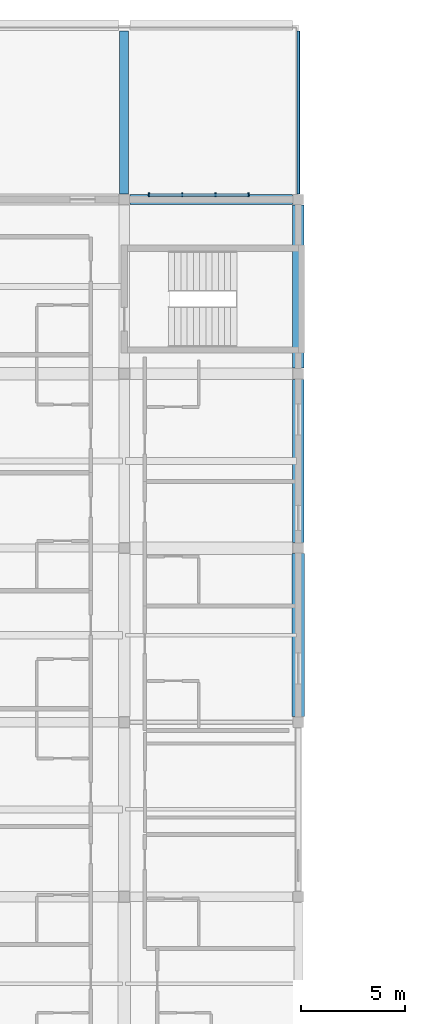
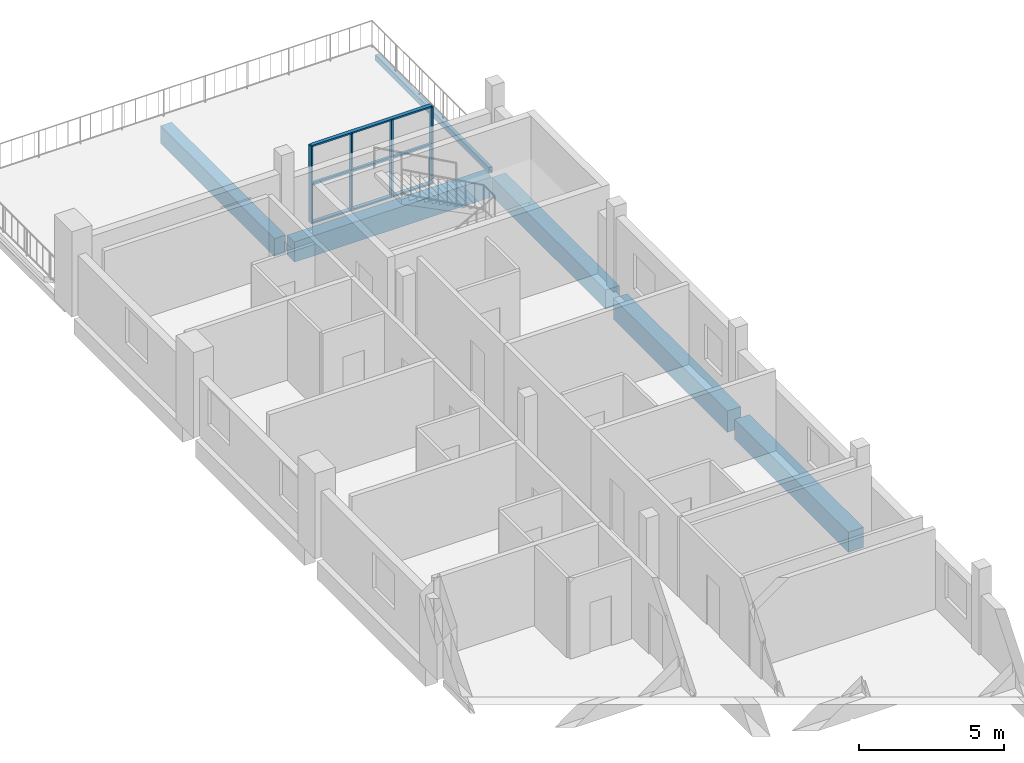
# One storey, part 4 of 20: 7 members, 6 beams, 1 element without a shape of its own.
"""IFC4 building model written with IfcOpenShell, lengths in metres."""

from ifc_helpers import new_model, si_unit, derived_unit, direction, frame, origin, origin_2d, place, context, subcontext, project, spatial, rectangle, hollow_rectangle, extrude, material, material_profile, profile_set, type_object, element, aggregate, save


model = new_model("IFC4")

# Units and contexts
model_context = context("Model", 3, precision=1e-05, world=origin(), true_north=direction((0.0, 1.0)))
body_context = subcontext(model_context, "Body", "Model", "MODEL_VIEW")
ifc_project = project(units=[si_unit("LENGTHUNIT", "METRE"), si_unit("AREAUNIT", "SQUARE_METRE"), si_unit("VOLUMEUNIT", "CUBIC_METRE"), si_unit("PLANEANGLEUNIT", "RADIAN"), si_unit("MASSUNIT", "GRAM", prefix="KILO"), derived_unit("THERMALTRANSMITTANCEUNIT", [(si_unit("POWERUNIT", "WATT"), 1), (si_unit("LENGTHUNIT", "METRE"), -2), (si_unit("THERMODYNAMICTEMPERATUREUNIT", "KELVIN"), -1)])], contexts=[model_context])

# Site, building, storey
site_placement = place(None, origin())
site = spatial("IfcSite", under=ifc_project, at=site_placement, CompositionType="ELEMENT")
building_placement = place(site_placement, origin())
building = spatial("IfcBuilding", under=site, at=building_placement, Name="Barrovel Congress Hotel", CompositionType="ELEMENT")
storey_placement = place(building_placement, frame((0.0, 0.0, 39.89990234375)))
storey = spatial("IfcBuildingStorey", under=building, at=storey_placement, Name="L10", CompositionType="ELEMENT", Elevation=39.89990234375)

# Beams
ifc_material_1 = material(Name="Concrete C40", Category="concrete")
ifc_material_profile_1 = material_profile(ifc_material_1, rectangle(XDim=0.449951171875, YDim=0.75, at=origin_2d()), Name="RC450x750")
ifc_profile_set_1 = profile_set([ifc_material_profile_1], Name="Concrete C40")
beam_type_1 = type_object("IfcBeamType", Name="BM-RC450x750", PredefinedType="BEAM", material=ifc_profile_set_1)
beam_1_placement = place(storey_placement, frame((42.0, 63.27490234375, -0.594970703125), z_axis=(0.0, 1.0, 0.0), x_axis=(-1.0, 0.0, 0.0)))
element("IfcBeam", 1, at=beam_1_placement, inside=storey, type_object=beam_type_1, Name="BMY:L10:42.0:63.0-71.4", PredefinedType="BEAM", context=body_context, shape_type="SweptSolid", body=[
    extrude(rectangle(XDim=0.449951171875, YDim=0.75, at=origin_2d()), origin(), (0.0, 0.0, 1.0), 7.85009765625),
])
ifc_material_profile_2 = material_profile(ifc_material_1, rectangle(XDim=0.5, YDim=0.85009765625, at=origin_2d()), Name="RC500x850")
ifc_profile_set_2 = profile_set([ifc_material_profile_2], Name="Concrete C40")
beam_type_2 = type_object("IfcBeamType", Name="BM-RC500x850", PredefinedType="BEAM", material=ifc_profile_set_2)
beam_2_placement = place(storey_placement, frame((42.27490234375, 63.0, -0.64501953125), z_axis=(1.0, 0.0, 0.0), x_axis=(0.0, 1.0, 0.0)))
element("IfcBeam", 2, at=beam_2_placement, inside=storey, type_object=beam_type_2, Name="BMX:L10:63.0:42.0-50.4", PredefinedType="BEAM", context=body_context, shape_type="SweptSolid", body=[
    extrude(rectangle(XDim=0.5, YDim=0.85009765625, at=origin_2d()), origin(), (0.0, 0.0, 1.0), 7.85009765625),
])
ifc_material_profile_3 = material_profile(ifc_material_1, rectangle(XDim=0.550048828125, YDim=0.800048828125, at=origin_2d()), Name="RC550x800")
ifc_profile_set_3 = profile_set([ifc_material_profile_3], Name="Concrete C40")
beam_type_3 = type_object("IfcBeamType", Name="BM-RC550x800", PredefinedType="BEAM", material=ifc_profile_set_3)
beam_3_placement = place(storey_placement, frame((50.39990234375, 54.875, -0.619873046875), z_axis=(0.0, 1.0, 0.0), x_axis=(-1.0, 0.0, 0.0)))
element("IfcBeam", 3, at=beam_3_placement, inside=storey, type_object=beam_type_3, Name="BMY:L10:50.4:54.6-63.0", PredefinedType="BEAM", context=body_context, shape_type="SweptSolid", body=[
    extrude(rectangle(XDim=0.550048828125, YDim=0.800048828125, at=origin_2d()), origin(), (0.0, 0.0, 1.0), 7.85009765625),
])
ifc_material_profile_4 = material_profile(ifc_material_1, rectangle(XDim=0.550048828125, YDim=0.89990234375, at=origin_2d()), Name="RC550x900")
ifc_profile_set_4 = profile_set([ifc_material_profile_4], Name="Concrete C40")
beam_type_4 = type_object("IfcBeamType", Name="BM-RC550x900", PredefinedType="BEAM", material=ifc_profile_set_4)
beam_4_placement = place(storey_placement, frame((50.39990234375, 46.47509765625, -0.669921875), z_axis=(0.0, 1.0, 0.0), x_axis=(-1.0, 0.0, 0.0)))
element("IfcBeam", 4, at=beam_4_placement, inside=storey, type_object=beam_type_4, Name="BMY:L10:50.4:46.2-54.6", PredefinedType="BEAM", context=body_context, shape_type="SweptSolid", body=[
    extrude(rectangle(XDim=0.550048828125, YDim=0.89990234375, at=origin_2d()), origin(), (0.0, 0.0, 1.0), 7.849853515625),
])
ifc_material_profile_5 = material_profile(ifc_material_1, rectangle(XDim=0.60009765625, YDim=0.85009765625, at=origin_2d()), Name="RC600x850")
ifc_profile_set_5 = profile_set([ifc_material_profile_5], Name="Concrete C40")
beam_type_5 = type_object("IfcBeamType", Name="BM-RC600x850", PredefinedType="BEAM", material=ifc_profile_set_5)
beam_5_placement = place(storey_placement, frame((50.39990234375, 38.074951171875, -0.64501953125), z_axis=(0.0, 1.0, 0.0), x_axis=(-1.0, 0.0, 0.0)))
element("IfcBeam", 5, at=beam_5_placement, inside=storey, type_object=beam_type_5, Name="BMY:L10:50.4:37.8-46.2", PredefinedType="BEAM", context=body_context, shape_type="SweptSolid", body=[
    extrude(rectangle(XDim=0.60009765625, YDim=0.85009765625, at=origin_2d()), origin(), (0.0, 0.0, 1.0), 7.85009765625),
])

# Curtain wall, members
ifc_material_2 = material(Name="Anodised Aluminium Alloy 6063-T6", Category="aluminium")
curtain_wall_type = type_object("IfcCurtainWallType", Name="CW-UN-4800x3200", PredefinedType="USERDEFINED", material=ifc_material_2)
curtain_wall_placement = place(storey_placement, origin())
curtain_wall = element("IfcCurtainWall", 6, at=curtain_wall_placement, inside=storey, type_object=curtain_wall_type, Name="CW:L10:UN-2", ObjectType="UNITISED CURTAIN WALL", PredefinedType="USERDEFINED")
ifc_material_profile_6 = material_profile(ifc_material_2, rectangle(XDim=0.06494140625, YDim=0.18994140625, at=origin_2d()), Name="AL-M65x190")
ifc_profile_set_6 = profile_set([ifc_material_profile_6], Name="Anodised Aluminium Alloy 6063-T6")
member_type_1 = type_object("IfcMemberType", Name="CWM-AL-M65x190", PredefinedType="MULLION", material=ifc_profile_set_6)
member_1_placement = place(storey_placement, frame((43.199951171875, 63.219970703125, 0.0), z_axis=(0.0, 0.0, 1.0), x_axis=(1.0, 0.0, 0.0)))
member_1 = element("IfcMember", 7, at=member_1_placement, type_object=member_type_1, Name="CW:L10:UN-2:M0", PredefinedType="MULLION", context=body_context, shape_type="SweptSolid", body=[
    extrude(rectangle(XDim=0.06494140625, YDim=0.18994140625, at=origin_2d()), origin(), (0.0, 0.0, 1.0), 3.25),
])
member_2_placement = place(storey_placement, frame((44.800048828125, 63.219970703125, 0.0), z_axis=(0.0, 0.0, 1.0), x_axis=(1.0, 0.0, 0.0)))
member_2 = element("IfcMember", 8, at=member_2_placement, type_object=member_type_1, Name="CW:L10:UN-2:M1", PredefinedType="MULLION", context=body_context, shape_type="SweptSolid", body=[
    extrude(rectangle(XDim=0.06494140625, YDim=0.18994140625, at=origin_2d()), origin(), (0.0, 0.0, 1.0), 3.25),
])
member_3_placement = place(storey_placement, frame((46.39990234375, 63.219970703125, 0.0), z_axis=(0.0, 0.0, 1.0), x_axis=(1.0, 0.0, 0.0)))
member_3 = element("IfcMember", 9, at=member_3_placement, type_object=member_type_1, Name="CW:L10:UN-2:M2", PredefinedType="MULLION", context=body_context, shape_type="SweptSolid", body=[
    extrude(rectangle(XDim=0.06494140625, YDim=0.18994140625, at=origin_2d()), origin(), (0.0, 0.0, 1.0), 3.25),
])
member_4_placement = place(storey_placement, frame((48.0, 63.219970703125, 0.0), z_axis=(0.0, 0.0, 1.0), x_axis=(1.0, 0.0, 0.0)))
member_4 = element("IfcMember", 10, at=member_4_placement, type_object=member_type_1, Name="CW:L10:UN-2:M3", PredefinedType="MULLION", context=body_context, shape_type="SweptSolid", body=[
    extrude(rectangle(XDim=0.06494140625, YDim=0.18994140625, at=origin_2d()), origin(), (0.0, 0.0, 1.0), 3.25),
])
ifc_material_profile_7 = material_profile(ifc_material_2, rectangle(XDim=0.14990234375, YDim=0.06494140625, at=origin_2d()), Name="AL-T65x150")
ifc_profile_set_7 = profile_set([ifc_material_profile_7], Name="Anodised Aluminium Alloy 6063-T6")
member_type_2 = type_object("IfcMemberType", Name="CWT-AL-T65x150", PredefinedType="USERDEFINED", material=ifc_profile_set_7)
member_5_placement = place(storey_placement, frame((43.199951171875, 63.219970703125, 0.0), z_axis=(1.0, 0.0, 0.0), x_axis=(0.0, 1.0, 0.0)))
member_5 = element("IfcMember", 11, at=member_5_placement, type_object=member_type_2, Name="CW:L10:UN-2:T0", ObjectType="TRANSOM", PredefinedType="USERDEFINED", context=body_context, shape_type="SweptSolid", body=[
    extrude(rectangle(XDim=0.14990234375, YDim=0.06494140625, at=origin_2d()), origin(), (0.0, 0.0, 1.0), 4.800048828125),
])
member_6_placement = place(storey_placement, frame((43.199951171875, 63.219970703125, 1.625), z_axis=(1.0, 0.0, 0.0), x_axis=(0.0, 1.0, 0.0)))
member_6 = element("IfcMember", 12, at=member_6_placement, type_object=member_type_2, Name="CW:L10:UN-2:T1", ObjectType="TRANSOM", PredefinedType="USERDEFINED", context=body_context, shape_type="SweptSolid", body=[
    extrude(rectangle(XDim=0.14990234375, YDim=0.06494140625, at=origin_2d()), origin(), (0.0, 0.0, 1.0), 4.800048828125),
])
member_7_placement = place(storey_placement, frame((43.199951171875, 63.219970703125, 3.25), z_axis=(1.0, 0.0, 0.0), x_axis=(0.0, 1.0, 0.0)))
member_7 = element("IfcMember", 13, at=member_7_placement, type_object=member_type_2, Name="CW:L10:UN-2:T2", ObjectType="TRANSOM", PredefinedType="USERDEFINED", context=body_context, shape_type="SweptSolid", body=[
    extrude(rectangle(XDim=0.14990234375, YDim=0.06494140625, at=origin_2d()), origin(), (0.0, 0.0, 1.0), 4.800048828125),
])
aggregate(curtain_wall, [member_1, member_2, member_3, member_4, member_5, member_6, member_7])

# Beam
ifc_material_3 = material(Name="Steel ASTM A500 Grade C", Category="steel")
ifc_material_profile_8 = material_profile(ifc_material_3, hollow_rectangle(XDim=0.15234375, YDim=0.25390625, WallThickness=0.0087890625, InnerFilletRadius=0.0087890625, OuterFilletRadius=0.017578125, at=origin_2d()), Name="HSS254x152x9.5")
ifc_profile_set_8 = profile_set([ifc_material_profile_8], Name="Steel ASTM A500 Grade C")
beam_type_6 = type_object("IfcBeamType", Name="SBM-HSS254x152x9.5", PredefinedType="SPANDREL", material=ifc_profile_set_8)
beam_6_placement = place(storey_placement, frame((50.39990234375, 63.27490234375, -0.346923828125), z_axis=(0.0, 1.0, 0.0), x_axis=(-1.0, 0.0, 0.0)))
element("IfcBeam", 14, at=beam_6_placement, inside=storey, type_object=beam_type_6, Name="BMY:L10:50.4:63.0-71.4", PredefinedType="SPANDREL", context=body_context, shape_type="SweptSolid", body=[
    extrude(hollow_rectangle(XDim=0.15234375, YDim=0.25390625, WallThickness=0.0087890625, InnerFilletRadius=0.0087890625, OuterFilletRadius=0.017578125, at=origin_2d()), origin(), (0.0, 0.0, 1.0), 7.85009765625),
])

save(model, "model.ifc")
